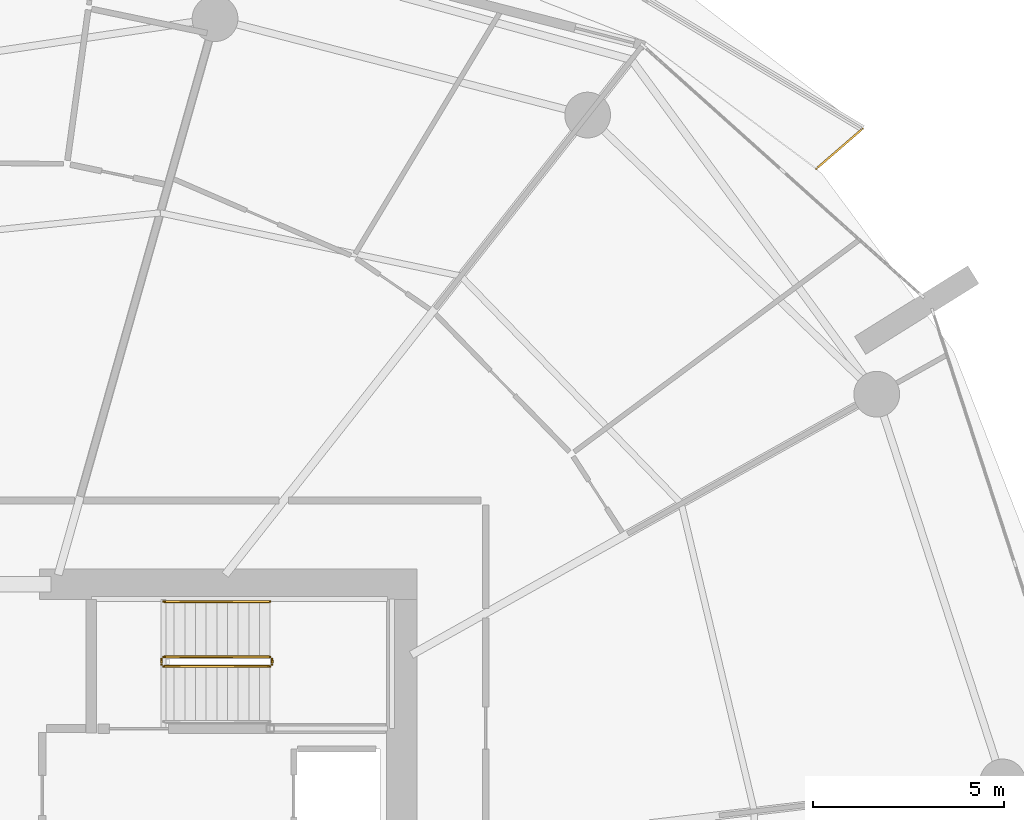
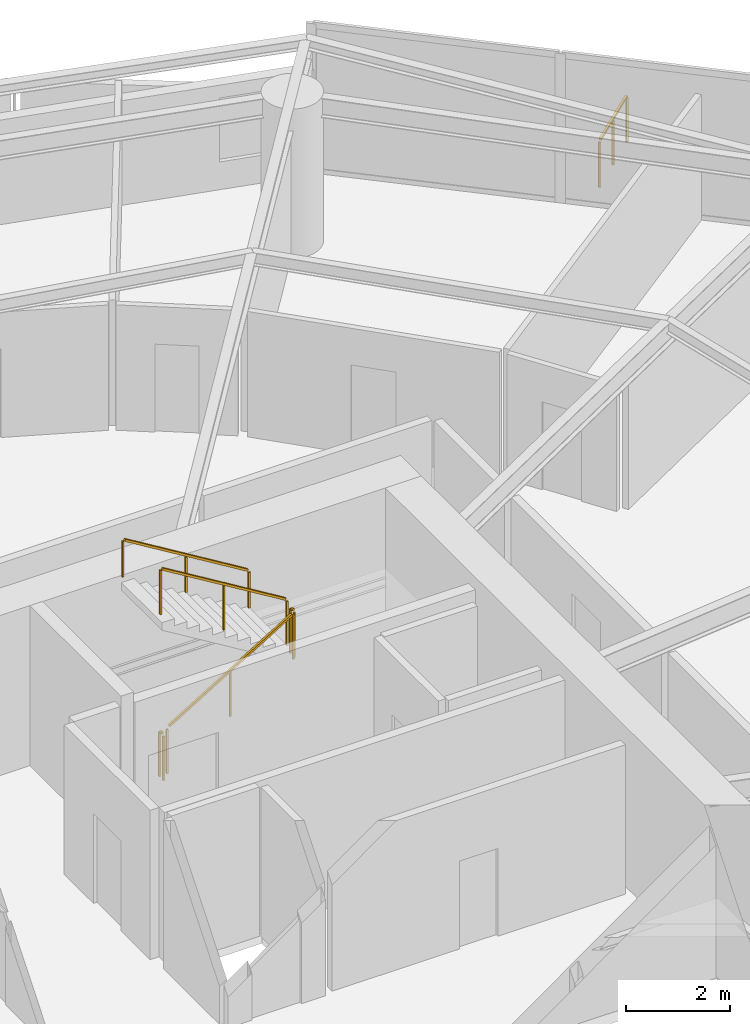
# One storey, part 21 of 22: 6 railings.
"""IFC4 building model written with IfcOpenShell, lengths in metres."""

from ifc_helpers import new_model, si_unit, direction, frame, origin, origin_2d, place, context, subcontext, project, spatial, rectangle, extrude, material, type_object, element, save


model = new_model("IFC4")

# Units and contexts
model_context = context("Model", 3, precision=1e-05, world=origin(), true_north=direction((0.0, 1.0)))
body_context = subcontext(model_context, "Body", "Model", "MODEL_VIEW")
ifc_project = project(units=[si_unit("LENGTHUNIT", "METRE"), si_unit("AREAUNIT", "SQUARE_METRE"), si_unit("VOLUMEUNIT", "CUBIC_METRE"), si_unit("PLANEANGLEUNIT", "RADIAN"), si_unit("MASSUNIT", "GRAM", prefix="KILO")], contexts=[model_context])

# Site, building, storey
site_placement = place(None, origin())
site = spatial("IfcSite", under=ifc_project, at=site_placement, CompositionType="ELEMENT")
building_placement = place(site_placement, origin())
building = spatial("IfcBuilding", under=site, at=building_placement, Name="Kazma Halo Residences", CompositionType="ELEMENT")
storey_placement = place(building_placement, frame((0.0, 0.0, 90.14990234375)))
storey = spatial("IfcBuildingStorey", under=building, at=storey_placement, Name="L22", CompositionType="ELEMENT", Elevation=90.14990234375)

# Railings
ifc_material_1 = material(Name="Aluminium AW-6063 T6 Brushed Cap Rail", Category="aluminium")
railing_type_1 = type_object("IfcRailingType", Name="RLG-BAL-CAP-1120", PredefinedType="BALUSTRADE", material=ifc_material_1)
railing_1_placement = place(storey_placement, frame((70.323974609375, 61.303466796875, 0.0)))
element("IfcRailing", 1, at=railing_1_placement, inside=storey, type_object=railing_type_1, Name="L22 NE wave balcony guard 1", PredefinedType="BALUSTRADE", context=body_context, shape_type="SweptSolid", body=[
    extrude(rectangle(XDim=0.050048828125, YDim=0.050048828125, at=origin_2d()), frame((0.0322265625, 0.02783203125, 1.09521484375), z_axis=(0.756438655116, 0.654064645923, 0.0), x_axis=(-0.654064645923, 0.756438655116, 0.0)), (0.0, 0.0, 1.0), 1.51513671875),
    extrude(rectangle(XDim=0.0400390625, YDim=0.0400390625, at=origin_2d()), origin(), (0.0, 0.0, 1.0), 1.05810546875),
    extrude(rectangle(XDim=0.0400390625, YDim=0.0400390625, at=origin_2d()), frame((0.605224609375, 0.5234375, 0.0)), (0.0, 0.0, 1.0), 1.05810546875),
    extrude(rectangle(XDim=0.0400390625, YDim=0.0400390625, at=origin_2d()), frame((1.21044921875, 1.046630859375, 0.0)), (0.0, 0.0, 1.0), 1.05810546875),
])
ifc_material_2 = material(Name="Painted Steel S355", Category="steel")
railing_type_2 = type_object("IfcRailingType", Name="RLG-STAIR-GRD-1100", PredefinedType="GUARDRAIL", material=ifc_material_2)
railing_2_placement = place(storey_placement, frame((53.199951171875, 48.25, 0.170654296875)))
element("IfcRailing", 2, at=railing_2_placement, inside=storey, type_object=railing_type_2, Name="L22 ST-02 stair guard 1", PredefinedType="GUARDRAIL", context=body_context, shape_type="SweptSolid", body=[
    extrude(rectangle(XDim=0.050048828125, YDim=0.050048828125, at=origin_2d()), frame((0.036376953125, 0.0, 1.09716796875), z_axis=(0.854202870247, 0.0, 0.519939858505), x_axis=(0.0, 1.0, 0.0)), (0.0, 0.0, 1.0), 3.19287109375),
    extrude(rectangle(XDim=0.0400390625, YDim=0.0400390625, at=origin_2d()), origin(), (0.0, 0.0, 1.0), 1.0380859375),
    extrude(rectangle(XDim=0.0400390625, YDim=0.0400390625, at=origin_2d()), frame((1.39990234375, 0.0, 0.85205078125)), (0.0, 0.0, 1.0), 1.0380859375),
    extrude(rectangle(XDim=0.0400390625, YDim=0.0400390625, at=origin_2d()), frame((2.800048828125, 0.0, 1.704345703125)), (0.0, 0.0, 1.0), 1.0380859375),
])
railing_3_placement = place(storey_placement, frame((56.050048828125, 48.300048828125, 1.875)))
element("IfcRailing", 3, at=railing_3_placement, inside=storey, type_object=railing_type_2, Name="L22 ST-02 stair guard 2", PredefinedType="GUARDRAIL", context=body_context, shape_type="SweptSolid", body=[
    extrude(rectangle(XDim=0.050048828125, YDim=0.050048828125, at=origin_2d()), frame((0.0, 0.04248046875, 1.0751953125), z_axis=(0.0, 1.0, 0.0), x_axis=(-1.0, 0.0, 0.0)), (0.0, 0.0, 1.0), 0.06494140625),
    extrude(rectangle(XDim=0.0400390625, YDim=0.0400390625, at=origin_2d()), origin(), (0.0, 0.0, 1.0), 1.0380859375),
    extrude(rectangle(XDim=0.0400390625, YDim=0.0400390625, at=origin_2d()), frame((0.0, 0.14990234375, 0.0)), (0.0, 0.0, 1.0), 1.0380859375),
])
railing_4_placement = place(storey_placement, frame((56.0, 48.5, 2.045654296875)))
element("IfcRailing", 4, at=railing_4_placement, inside=storey, type_object=railing_type_2, Name="L22 ST-02 stair guard 3", PredefinedType="GUARDRAIL", context=body_context, shape_type="SweptSolid", body=[
    extrude(rectangle(XDim=0.050048828125, YDim=0.050048828125, at=origin_2d()), frame((-0.036376953125, 0.0, 1.09716796875), z_axis=(-0.854202870247, 0.0, 0.519939858505), x_axis=(0.0, -1.0, 0.0)), (0.0, 0.0, 1.0), 3.19287109375),
    extrude(rectangle(XDim=0.0400390625, YDim=0.0400390625, at=origin_2d()), origin(), (0.0, 0.0, 1.0), 1.0380859375),
    extrude(rectangle(XDim=0.0400390625, YDim=0.0400390625, at=origin_2d()), frame((-1.39990234375, 0.0, 0.85205078125)), (0.0, 0.0, 1.0), 1.0380859375),
    extrude(rectangle(XDim=0.0400390625, YDim=0.0400390625, at=origin_2d()), frame((-2.800048828125, 0.0, 1.704345703125)), (0.0, 0.0, 1.0), 1.0380859375),
])
railing_5_placement = place(storey_placement, frame((53.14990234375, 48.300048828125, 0.0)))
element("IfcRailing", 5, at=railing_5_placement, inside=storey, type_object=railing_type_2, Name="L22 ST-02 stair guard 4", PredefinedType="GUARDRAIL", context=body_context, shape_type="SweptSolid", body=[
    extrude(rectangle(XDim=0.050048828125, YDim=0.050048828125, at=origin_2d()), frame((0.0, 0.04248046875, 1.0751953125), z_axis=(0.0, 1.0, 0.0), x_axis=(-1.0, 0.0, 0.0)), (0.0, 0.0, 1.0), 0.06494140625),
    extrude(rectangle(XDim=0.0400390625, YDim=0.0400390625, at=origin_2d()), origin(), (0.0, 0.0, 1.0), 1.0380859375),
    extrude(rectangle(XDim=0.0400390625, YDim=0.0400390625, at=origin_2d()), frame((0.0, 0.14990234375, 0.0)), (0.0, 0.0, 1.0), 1.0380859375),
])
ifc_material_3 = material(Name="Brushed Stainless Steel", Category="steel")
railing_type_3 = type_object("IfcRailingType", Name="RLG-STAIR-HND-900", PredefinedType="HANDRAIL", material=ifc_material_3)
railing_6_placement = place(storey_placement, frame((56.0, 49.949951171875, 2.045654296875)))
element("IfcRailing", 6, at=railing_6_placement, inside=storey, type_object=railing_type_3, Name="L22 ST-02 stair handrail 2", PredefinedType="HANDRAIL", context=body_context, shape_type="SweptSolid", body=[
    extrude(rectangle(XDim=0.050048828125, YDim=0.050048828125, at=origin_2d()), frame((-0.036376953125, 0.0, 0.89697265625), z_axis=(-0.854202870247, 0.0, 0.519939858505), x_axis=(0.0, -1.0, 0.0)), (0.0, 0.0, 1.0), 3.19287109375),
    extrude(rectangle(XDim=0.0400390625, YDim=0.0400390625, at=origin_2d()), origin(), (0.0, 0.0, 1.0), 0.837890625),
    extrude(rectangle(XDim=0.0400390625, YDim=0.0400390625, at=origin_2d()), frame((-1.39990234375, 0.0, 0.85205078125)), (0.0, 0.0, 1.0), 0.837890625),
    extrude(rectangle(XDim=0.0400390625, YDim=0.0400390625, at=origin_2d()), frame((-2.800048828125, 0.0, 1.704345703125)), (0.0, 0.0, 1.0), 0.837890625),
])

save(model, "model.ifc")
